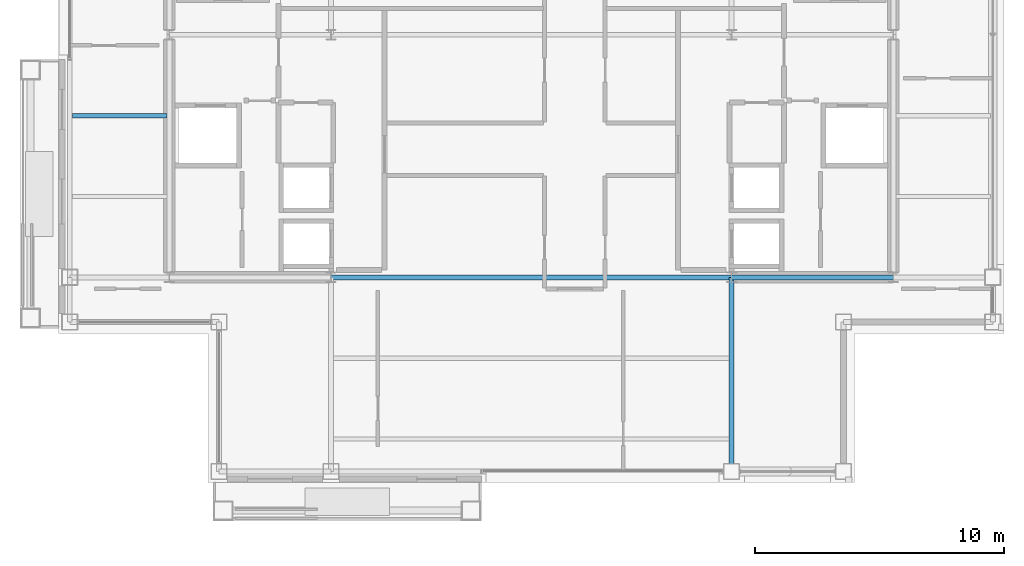
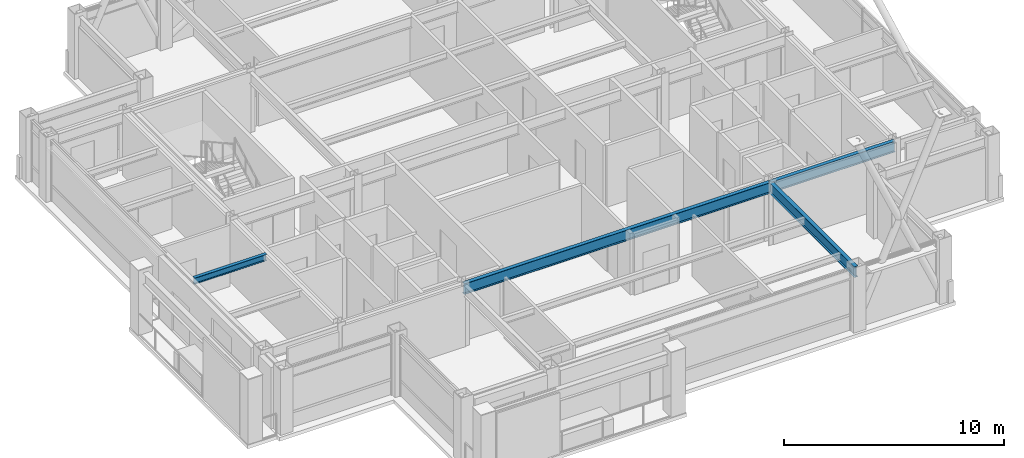
# One storey, part 8 of 26: 4 beams.
"""IFC4 building model written with IfcOpenShell, lengths in metres."""

from ifc_helpers import new_model, si_unit, direction, frame, origin, origin_2d, place, context, subcontext, project, spatial, i_section, extrude, material, material_profile, profile_set, type_object, element, save


model = new_model("IFC4")

# Units and contexts
model_context = context("Model", 3, precision=1e-05, world=origin(), true_north=direction((0.0, 1.0)))
body_context = subcontext(model_context, "Body", "Model", "MODEL_VIEW")
ifc_project = project(units=[si_unit("LENGTHUNIT", "METRE"), si_unit("AREAUNIT", "SQUARE_METRE"), si_unit("VOLUMEUNIT", "CUBIC_METRE"), si_unit("PLANEANGLEUNIT", "RADIAN"), si_unit("MASSUNIT", "GRAM", prefix="KILO")], contexts=[model_context])

# Site, building, storey
site_placement = place(None, origin())
site = spatial("IfcSite", under=ifc_project, at=site_placement, CompositionType="ELEMENT")
building_placement = place(site_placement, origin())
building = spatial("IfcBuilding", under=site, at=building_placement, Name="Brelmoor Portico Tower", CompositionType="ELEMENT")
storey_placement = place(building_placement, frame((0.0, 0.0, 247.199951171875)))
storey = spatial("IfcBuildingStorey", under=building, at=storey_placement, Name="L65", CompositionType="ELEMENT", Elevation=247.199951171875)

# Beams
ifc_material = material(Name="Steel Q355B", Category="steel")
ifc_material_profile_1 = material_profile(ifc_material, i_section(OverallWidth=0.175048828125, OverallDepth=0.35009765625, WebThickness=0.007080078125, FlangeThickness=0.010986328125, at=origin_2d()), Name="HN 350x175x7x11")
ifc_profile_set_1 = profile_set([ifc_material_profile_1], Name="Steel Q355B")
beam_type_1 = type_object("IfcBeamType", Name="BM-JS-350", PredefinedType="JOIST", material=ifc_profile_set_1)
beam_1_placement = place(storey_placement, frame((-18.449951171875, -3.25, 3.22509765625), z_axis=(1.0, 0.0, 0.0), x_axis=(0.0, 1.0, 0.0)))
element("IfcBeam", 1, at=beam_1_placement, inside=storey, type_object=beam_type_1, Name="L65 Secondary Wing Joist JS-W08", PredefinedType="JOIST", context=body_context, shape_type="SweptSolid", body=[
    extrude(i_section(OverallWidth=0.175048828125, OverallDepth=0.35009765625, WebThickness=0.007080078125, FlangeThickness=0.010986328125, at=origin_2d()), origin(), (0.0, 0.0, 1.0), 3.800048828125),
])
ifc_material_profile_2 = material_profile(ifc_material, i_section(OverallWidth=0.199951171875, OverallDepth=0.60009765625, WebThickness=0.010986328125, FlangeThickness=0.01708984375, at=origin_2d()), Name="HN 600x200x11x17")
ifc_profile_set_2 = profile_set([ifc_material_profile_2], Name="Steel Q355B")
beam_type_2 = type_object("IfcBeamType", Name="BM-PG-600", PredefinedType="BEAM", material=ifc_profile_set_2)
beam_2_placement = place(storey_placement, frame((8.050048828125, -17.550048828125, 3.10009765625), z_axis=(0.0, 1.0, 0.0), x_axis=(-1.0, 0.0, 0.0)))
element("IfcBeam", 2, at=beam_2_placement, inside=storey, type_object=beam_type_2, Name="L65 Primary Floor Girder PG-06", PredefinedType="BEAM", context=body_context, shape_type="SweptSolid", body=[
    extrude(i_section(OverallWidth=0.199951171875, OverallDepth=0.60009765625, WebThickness=0.010986328125, FlangeThickness=0.01708984375, at=origin_2d()), origin(), (0.0, 0.0, 1.0), 7.800048828125),
])
beam_3_placement = place(storey_placement, frame((-8.050048828125, -9.75, 3.10009765625), z_axis=(1.0, 0.0, 0.0), x_axis=(0.0, 1.0, 0.0)))
element("IfcBeam", 3, at=beam_3_placement, inside=storey, type_object=beam_type_2, Name="L65 Primary Floor Girder PG-13", PredefinedType="BEAM", context=body_context, shape_type="SweptSolid", body=[
    extrude(i_section(OverallWidth=0.199951171875, OverallDepth=0.60009765625, WebThickness=0.010986328125, FlangeThickness=0.01708984375, at=origin_2d()), origin(), (0.0, 0.0, 1.0), 16.10009765625),
])
beam_4_placement = place(storey_placement, frame((8.050048828125, -9.75, 3.10009765625), z_axis=(1.0, 0.0, 0.0), x_axis=(0.0, 1.0, 0.0)))
element("IfcBeam", 4, at=beam_4_placement, inside=storey, type_object=beam_type_2, Name="L65 Primary Floor Girder PG-14", PredefinedType="BEAM", context=body_context, shape_type="SweptSolid", body=[
    extrude(i_section(OverallWidth=0.199951171875, OverallDepth=0.60009765625, WebThickness=0.010986328125, FlangeThickness=0.01708984375, at=origin_2d()), origin(), (0.0, 0.0, 1.0), 6.5),
])

save(model, "model.ifc")
